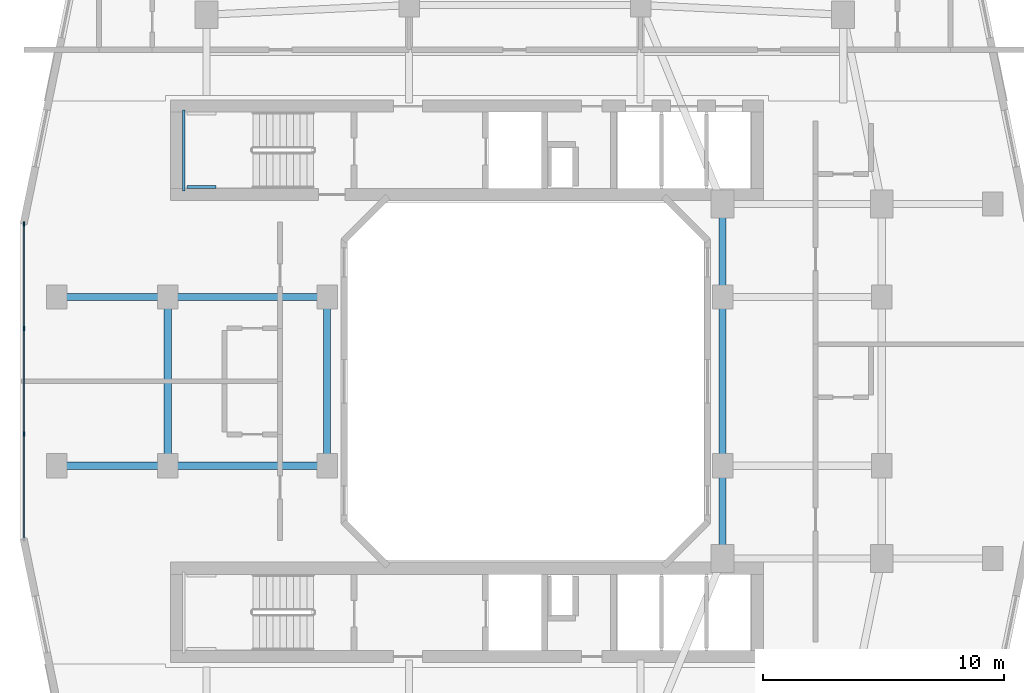
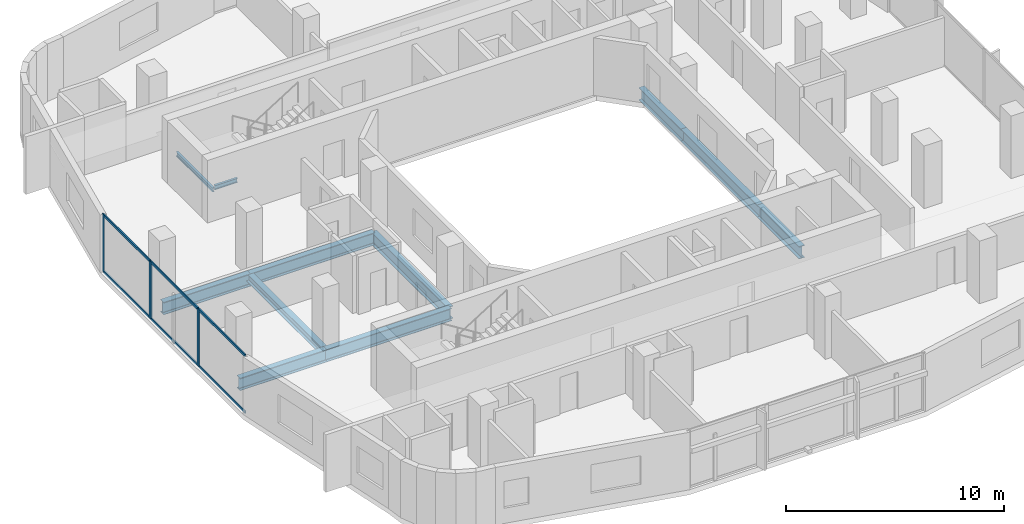
# One storey, part 3 of 25: 11 beams, 9 members, 1 element without a shape of its own.
"""IFC4 building model written with IfcOpenShell, lengths in metres."""

from ifc_helpers import new_model, si_unit, derived_unit, direction, frame, origin, origin_2d, place, context, subcontext, project, spatial, rectangle, i_section, extrude, material, layer, layer_set, material_profile, profile_set, type_object, element, aggregate, save


model = new_model("IFC4")

# Units and contexts
model_context = context("Model", 3, precision=1e-05, world=origin(), true_north=direction((0.0, 1.0)))
body_context = subcontext(model_context, "Body", "Model", "MODEL_VIEW")
ifc_project = project(units=[si_unit("LENGTHUNIT", "METRE"), si_unit("AREAUNIT", "SQUARE_METRE"), si_unit("VOLUMEUNIT", "CUBIC_METRE"), si_unit("PLANEANGLEUNIT", "RADIAN"), si_unit("MASSUNIT", "GRAM", prefix="KILO"), derived_unit("THERMALTRANSMITTANCEUNIT", [(si_unit("POWERUNIT", "WATT"), 1), (si_unit("LENGTHUNIT", "METRE"), -2), (si_unit("THERMODYNAMICTEMPERATUREUNIT", "KELVIN"), -1)])], contexts=[model_context])

# Site, building, storey
site_placement = place(None, origin())
site = spatial("IfcSite", under=ifc_project, at=site_placement, CompositionType="ELEMENT")
building_placement = place(site_placement, origin())
building = spatial("IfcBuilding", under=site, at=building_placement, Name="Kivonza Crest Hotel", CompositionType="ELEMENT")
storey_placement = place(building_placement, frame((0.0, 0.0, 83.5)))
storey = spatial("IfcBuildingStorey", under=building, at=storey_placement, Name="L22", CompositionType="ELEMENT", Elevation=83.5)

# Beams
ifc_material_1 = material(Name="Steel S355", Category="steel")
ifc_material_profile_1 = material_profile(ifc_material_1, i_section(OverallWidth=0.300048828125, OverallDepth=0.449951171875, WebThickness=0.013916015625, FlangeThickness=0.02587890625, FilletRadius=0.027099609375, at=origin_2d()), Name="HEB 450")
ifc_profile_set_1 = profile_set([ifc_material_profile_1], Name="Steel S355")
beam_type_1 = type_object("IfcBeamType", Name="BM-HEB450", PredefinedType="SPANDREL", material=ifc_profile_set_1)
beam_1_placement = place(storey_placement, frame((6.199951171875, 28.5, -0.5048828125), z_axis=(0.0, -1.0, 0.0), x_axis=(1.0, 0.0, 0.0)))
element("IfcBeam", 1, at=beam_1_placement, inside=storey, type_object=beam_type_1, Name="Tower T1 L22 perimeter spandrel W2-W1", PredefinedType="SPANDREL", context=body_context, shape_type="SweptSolid", body=[
    extrude(i_section(OverallWidth=0.300048828125, OverallDepth=0.449951171875, WebThickness=0.013916015625, FlangeThickness=0.02587890625, FilletRadius=0.027099609375, at=origin_2d()), origin(), (0.0, 0.0, 1.0), 7.0),
])
ifc_material_profile_2 = material_profile(ifc_material_1, i_section(OverallWidth=0.300048828125, OverallDepth=0.699951171875, WebThickness=0.01708984375, FlangeThickness=0.031982421875, FilletRadius=0.027099609375, at=origin_2d()), Name="HEB 700")
ifc_profile_set_2 = profile_set([ifc_material_profile_2], Name="Steel S355")
beam_type_2 = type_object("IfcBeamType", Name="BM-HEB700", PredefinedType="BEAM", material=ifc_profile_set_2)
for number, where, z_axis, x_axis, name in (
    (2, (6.199951171875, 21.5, -0.6298828125), (1.0, 0.0, 0.0), (0.0, 1.0, 0.0), "Tower T1 L22 primary girder W1-WL1"),
    (3, (6.199951171875, 28.5, -0.6298828125), (1.0, 0.0, 0.0), (0.0, 1.0, 0.0), "Tower T1 L22 primary girder W2-WL2"),
):
    element("IfcBeam", number, at=place(storey_placement, frame(where, z_axis=z_axis, x_axis=x_axis)), inside=storey, type_object=beam_type_2, Name=name, PredefinedType="BEAM", context=body_context, shape_type="SweptSolid", body=[
        extrude(i_section(OverallWidth=0.300048828125, OverallDepth=0.699951171875, WebThickness=0.01708984375, FlangeThickness=0.031982421875, FilletRadius=0.027099609375, at=origin_2d()), origin(), (0.0, 0.0, 1.0), 6.60009765625),
    ])
for number, where, z_axis, x_axis, name in (
    (4, (12.800048828125, 21.5, -0.6298828125), (0.0, 1.0, 0.0), (-1.0, 0.0, 0.0), "Tower T1 L22 primary girder WL1-WL2"),
    (5, (29.199951171875, 21.5, -0.6298828125), (0.0, 1.0, 0.0), (-1.0, 0.0, 0.0), "Tower T1 L22 primary girder WR1-WR2"),
):
    element("IfcBeam", number, at=place(storey_placement, frame(where, z_axis=z_axis, x_axis=x_axis)), inside=storey, type_object=beam_type_2, Name=name, PredefinedType="BEAM", context=body_context, shape_type="SweptSolid", body=[
        extrude(i_section(OverallWidth=0.300048828125, OverallDepth=0.699951171875, WebThickness=0.01708984375, FlangeThickness=0.031982421875, FilletRadius=0.027099609375, at=origin_2d()), origin(), (0.0, 0.0, 1.0), 7.0),
    ])
for number, where, z_axis, x_axis, name in (
    (6, (29.199951171875, 17.64990234375, -0.6298828125), (0.0, 1.0, 0.0), (-1.0, 0.0, 0.0), "Tower T1 L22 primary girder TSE-WR1"),
    (7, (29.199951171875, 28.5, -0.6298828125), (0.0, 1.0, 0.0), (-1.0, 0.0, 0.0), "Tower T1 L22 primary girder WR2-TNE"),
):
    element("IfcBeam", number, at=place(storey_placement, frame(where, z_axis=z_axis, x_axis=x_axis)), inside=storey, type_object=beam_type_2, Name=name, PredefinedType="BEAM", context=body_context, shape_type="SweptSolid", body=[
        extrude(i_section(OverallWidth=0.300048828125, OverallDepth=0.699951171875, WebThickness=0.01708984375, FlangeThickness=0.031982421875, FilletRadius=0.027099609375, at=origin_2d()), origin(), (0.0, 0.0, 1.0), 3.85009765625),
    ])
for number, where, z_axis, x_axis, name in (
    (8, (1.60009765625, 21.5, -0.6298828125), (1.0, 0.0, 0.0), (0.0, 1.0, 0.0), "Tower T1 L22 outer bay girder ZW1"),
    (9, (1.60009765625, 28.5, -0.6298828125), (1.0, 0.0, 0.0), (0.0, 1.0, 0.0), "Tower T1 L22 outer bay girder ZW2"),
):
    element("IfcBeam", number, at=place(storey_placement, frame(where, z_axis=z_axis, x_axis=x_axis)), inside=storey, type_object=beam_type_2, Name=name, PredefinedType="BEAM", context=body_context, shape_type="SweptSolid", body=[
        extrude(i_section(OverallWidth=0.300048828125, OverallDepth=0.699951171875, WebThickness=0.01708984375, FlangeThickness=0.031982421875, FilletRadius=0.027099609375, at=origin_2d()), origin(), (0.0, 0.0, 1.0), 4.599853515625),
    ])
ifc_material_profile_3 = material_profile(ifc_material_1, i_section(OverallWidth=0.1201171875, OverallDepth=0.239990234375, WebThickness=0.006103515625, FlangeThickness=0.009765625, FilletRadius=0.014892578125, at=origin_2d()), Name="IPE 240")
ifc_profile_set_3 = profile_set([ifc_material_profile_3], Name="Steel S355")
beam_type_3 = type_object("IfcBeamType", Name="BM-LLDG-240", PredefinedType="BEAM", material=ifc_profile_set_3)
beam_2_placement = place(storey_placement, frame((6.860107421875, 32.89990234375, 1.429931640625), z_axis=(0.0, 1.0, 0.0), x_axis=(-1.0, 0.0, 0.0)))
element("IfcBeam", 10, at=beam_2_placement, inside=storey, type_object=beam_type_3, Name="Stair ST-T1-N L22 West landing corbel", PredefinedType="BEAM", context=body_context, shape_type="SweptSolid", body=[
    extrude(i_section(OverallWidth=0.1201171875, OverallDepth=0.239990234375, WebThickness=0.006103515625, FlangeThickness=0.009765625, FilletRadius=0.014892578125, at=origin_2d()), origin(), (0.0, 0.0, 1.0), 3.360107421875),
])
beam_3_placement = place(storey_placement, frame((6.989990234375, 33.06005859375, 1.429931640625), z_axis=(1.0, 0.0, 0.0), x_axis=(0.0, 1.0, 0.0)))
element("IfcBeam", 11, at=beam_3_placement, inside=storey, type_object=beam_type_3, Name="Stair ST-T1-N L22 South landing corbel", PredefinedType="BEAM", context=body_context, shape_type="SweptSolid", body=[
    extrude(i_section(OverallWidth=0.1201171875, OverallDepth=0.239990234375, WebThickness=0.006103515625, FlangeThickness=0.009765625, FilletRadius=0.014892578125, at=origin_2d()), origin(), (0.0, 0.0, 1.0), 1.2099609375),
])

# Curtain wall, members
ifc_material_2 = material(Name="Anodised bronze aluminium and low-E double glazing", Category="aluminium")
ifc_layer = layer(ifc_material_2, 0.179931640625)
ifc_layer_set = layer_set([ifc_layer], Name="Anodised bronze aluminium and low-E double glazing")
curtain_wall_type = type_object("IfcCurtainWallType", Name="CW-SYS-2", PredefinedType="NOTDEFINED", material=ifc_layer_set)
curtain_wall_placement = place(storey_placement, origin())
curtain_wall = element("IfcCurtainWall", 12, at=curtain_wall_placement, inside=storey, type_object=curtain_wall_type, Name="L22 unitised curtain wall CW-T1-L22-35", PredefinedType="NOTDEFINED")
ifc_material_3 = material(Name="Anodised bronze aluminium", Category="aluminium")
ifc_material_profile_4 = material_profile(ifc_material_3, rectangle(XDim=0.06494140625, YDim=0.179931640625, at=origin_2d()), Name="CW-M 65x180")
ifc_profile_set_4 = profile_set([ifc_material_profile_4], Name="Anodised bronze aluminium")
member_type_1 = type_object("IfcMemberType", Name="CW-MUL-65x180", PredefinedType="MULLION", material=ifc_profile_set_4)
member_1_placement = place(storey_placement, frame((0.239990234375, 31.527587890625, 0.0), z_axis=(0.0, 0.0, 1.0), x_axis=(1.0, 0.0, 0.0)))
member_1 = element("IfcMember", 13, at=member_1_placement, type_object=member_type_1, Name="CW-2 mullion 1", PredefinedType="MULLION", context=body_context, shape_type="SweptSolid", body=[
    extrude(rectangle(XDim=0.06494140625, YDim=0.179931640625, at=origin_2d()), origin(), (0.0, 0.0, 1.0), 3.219970703125),
])
member_2_placement = place(storey_placement, frame((0.239990234375, 27.186767578125, 0.0), z_axis=(0.0, 0.0, 1.0), x_axis=(1.0, 0.0, 0.0)))
member_2 = element("IfcMember", 14, at=member_2_placement, type_object=member_type_1, Name="CW-2 mullion 2", PredefinedType="MULLION", context=body_context, shape_type="SweptSolid", body=[
    extrude(rectangle(XDim=0.06494140625, YDim=0.179931640625, at=origin_2d()), origin(), (0.0, 0.0, 1.0), 3.219970703125),
])
member_3_placement = place(storey_placement, frame((0.239990234375, 22.813232421875, 0.0), z_axis=(0.0, 0.0, 1.0), x_axis=(1.0, 0.0, 0.0)))
member_3 = element("IfcMember", 15, at=member_3_placement, type_object=member_type_1, Name="CW-2 mullion 3", PredefinedType="MULLION", context=body_context, shape_type="SweptSolid", body=[
    extrude(rectangle(XDim=0.06494140625, YDim=0.179931640625, at=origin_2d()), origin(), (0.0, 0.0, 1.0), 3.219970703125),
])
ifc_material_profile_5 = material_profile(ifc_material_3, rectangle(XDim=0.06494140625, YDim=0.139892578125, at=origin_2d()), Name="CW-T 65x140")
ifc_profile_set_5 = profile_set([ifc_material_profile_5], Name="Anodised bronze aluminium")
member_type_2 = type_object("IfcMemberType", Name="CW-TRN-65x140", PredefinedType="USERDEFINED", material=ifc_profile_set_5)
member_4_placement = place(storey_placement, frame((0.239990234375, 31.4951171875, 0.032470703125), z_axis=(0.0, -1.0, 0.0), x_axis=(1.0, 0.0, 0.0)))
member_4 = element("IfcMember", 16, at=member_4_placement, type_object=member_type_2, Name="CW-2 transom 1.1", ObjectType="TRANSOM", PredefinedType="USERDEFINED", context=body_context, shape_type="SweptSolid", body=[
    extrude(rectangle(XDim=0.06494140625, YDim=0.139892578125, at=origin_2d()), origin(), (0.0, 0.0, 1.0), 4.27587890625),
])
member_5_placement = place(storey_placement, frame((0.239990234375, 31.4951171875, 3.1875), z_axis=(0.0, -1.0, 0.0), x_axis=(1.0, 0.0, 0.0)))
member_5 = element("IfcMember", 17, at=member_5_placement, type_object=member_type_2, Name="CW-2 transom 1.2", ObjectType="TRANSOM", PredefinedType="USERDEFINED", context=body_context, shape_type="SweptSolid", body=[
    extrude(rectangle(XDim=0.06494140625, YDim=0.139892578125, at=origin_2d()), origin(), (0.0, 0.0, 1.0), 4.27587890625),
])
member_6_placement = place(storey_placement, frame((0.239990234375, 27.154052734375, 0.032470703125), z_axis=(0.0, -1.0, 0.0), x_axis=(1.0, 0.0, 0.0)))
member_6 = element("IfcMember", 18, at=member_6_placement, type_object=member_type_2, Name="CW-2 transom 2.1", ObjectType="TRANSOM", PredefinedType="USERDEFINED", context=body_context, shape_type="SweptSolid", body=[
    extrude(rectangle(XDim=0.06494140625, YDim=0.139892578125, at=origin_2d()), origin(), (0.0, 0.0, 1.0), 4.30810546875),
])
member_7_placement = place(storey_placement, frame((0.239990234375, 27.154052734375, 3.1875), z_axis=(0.0, -1.0, 0.0), x_axis=(1.0, 0.0, 0.0)))
member_7 = element("IfcMember", 19, at=member_7_placement, type_object=member_type_2, Name="CW-2 transom 2.2", ObjectType="TRANSOM", PredefinedType="USERDEFINED", context=body_context, shape_type="SweptSolid", body=[
    extrude(rectangle(XDim=0.06494140625, YDim=0.139892578125, at=origin_2d()), origin(), (0.0, 0.0, 1.0), 4.30810546875),
])
member_8_placement = place(storey_placement, frame((0.239990234375, 22.78076171875, 0.032470703125), z_axis=(0.0, -1.0, 0.0), x_axis=(1.0, 0.0, 0.0)))
member_8 = element("IfcMember", 20, at=member_8_placement, type_object=member_type_2, Name="CW-2 transom 3.1", ObjectType="TRANSOM", PredefinedType="USERDEFINED", context=body_context, shape_type="SweptSolid", body=[
    extrude(rectangle(XDim=0.06494140625, YDim=0.139892578125, at=origin_2d()), origin(), (0.0, 0.0, 1.0), 4.27587890625),
])
member_9_placement = place(storey_placement, frame((0.239990234375, 22.78076171875, 3.1875), z_axis=(0.0, -1.0, 0.0), x_axis=(1.0, 0.0, 0.0)))
member_9 = element("IfcMember", 21, at=member_9_placement, type_object=member_type_2, Name="CW-2 transom 3.2", ObjectType="TRANSOM", PredefinedType="USERDEFINED", context=body_context, shape_type="SweptSolid", body=[
    extrude(rectangle(XDim=0.06494140625, YDim=0.139892578125, at=origin_2d()), origin(), (0.0, 0.0, 1.0), 4.27587890625),
])
aggregate(curtain_wall, [member_1, member_2, member_3, member_4, member_5, member_6, member_7, member_8, member_9])

save(model, "model.ifc")
